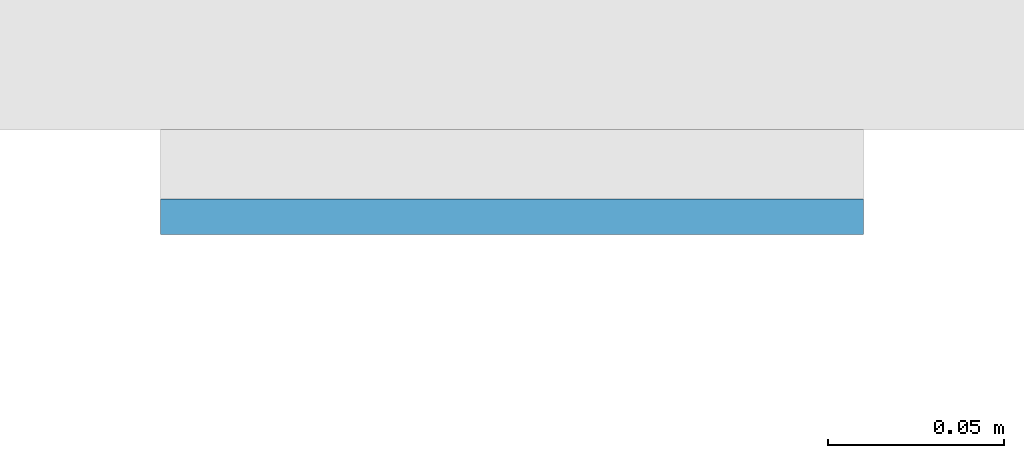
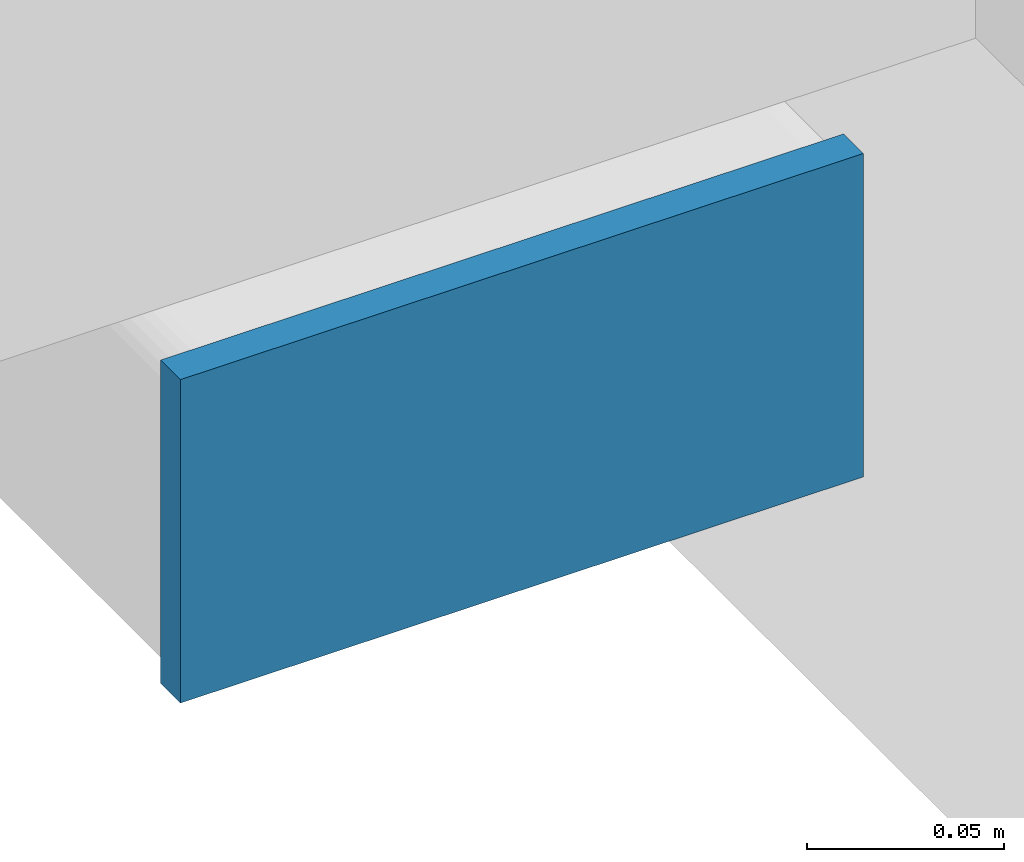
# One storey, part 8 of 20: 1 plate.
"""IFC4 building model written with IfcOpenShell, lengths in metres."""

from ifc_helpers import new_model, si_unit, direction, frame, origin, origin_2d, place, context, subcontext, project, spatial, rectangle, extrude, material, layer, layer_set, type_object, element, save


model = new_model("IFC4")

# Units and contexts
model_context = context("Model", 3, precision=1e-05, world=origin(), true_north=direction((0.0, 1.0)))
body_context = subcontext(model_context, "Body", "Model", "MODEL_VIEW")
ifc_project = project(units=[si_unit("LENGTHUNIT", "METRE"), si_unit("AREAUNIT", "SQUARE_METRE"), si_unit("VOLUMEUNIT", "CUBIC_METRE"), si_unit("PLANEANGLEUNIT", "RADIAN"), si_unit("MASSUNIT", "GRAM", prefix="KILO")], contexts=[model_context])

# Site, building, storey
site_placement = place(None, origin())
site = spatial("IfcSite", under=ifc_project, at=site_placement, CompositionType="ELEMENT")
building_placement = place(site_placement, origin())
building = spatial("IfcBuilding", under=site, at=building_placement, Name="Cleftline Residences", CompositionType="ELEMENT")
storey_placement = place(building_placement, frame((0.0, 0.0, 99.800048828125)))
storey = spatial("IfcBuildingStorey", under=building, at=storey_placement, Name="L25", CompositionType="ELEMENT", Elevation=99.800048828125)

# Plate
ifc_material = material(Name="Steel S355, hot-dip galvanised", Category="steel")
ifc_layer = layer(ifc_material, 0.010009765625)
ifc_layer_set = layer_set([ifc_layer], Name="BAGUETTE CARRIER END PLATE 200X100X10")
plate_type = type_object("IfcPlateType", Name="BAGUETTE CARRIER END PLATE 200X100X10", PredefinedType="USERDEFINED", material=ifc_layer_set)
plate_placement = place(storey_placement, frame((-0.85009765625, 3.695068359375, -0.10009765625), z_axis=(0.0, 0.0, 1.0), x_axis=(-1.0, 0.0, 0.0)))
element("IfcPlate", 1, at=plate_placement, inside=storey, type_object=plate_type, Name="Baguette carrier end plate", ObjectType="BAGUETTE CARRIER END PLATE", PredefinedType="USERDEFINED", context=body_context, shape_type="SweptSolid", body=[
    extrude(rectangle(XDim=0.199951171875, YDim=0.010009765625, at=origin_2d()), origin(), (0.0, 0.0, 1.0), 0.10009765625),
])

save(model, "model.ifc")
